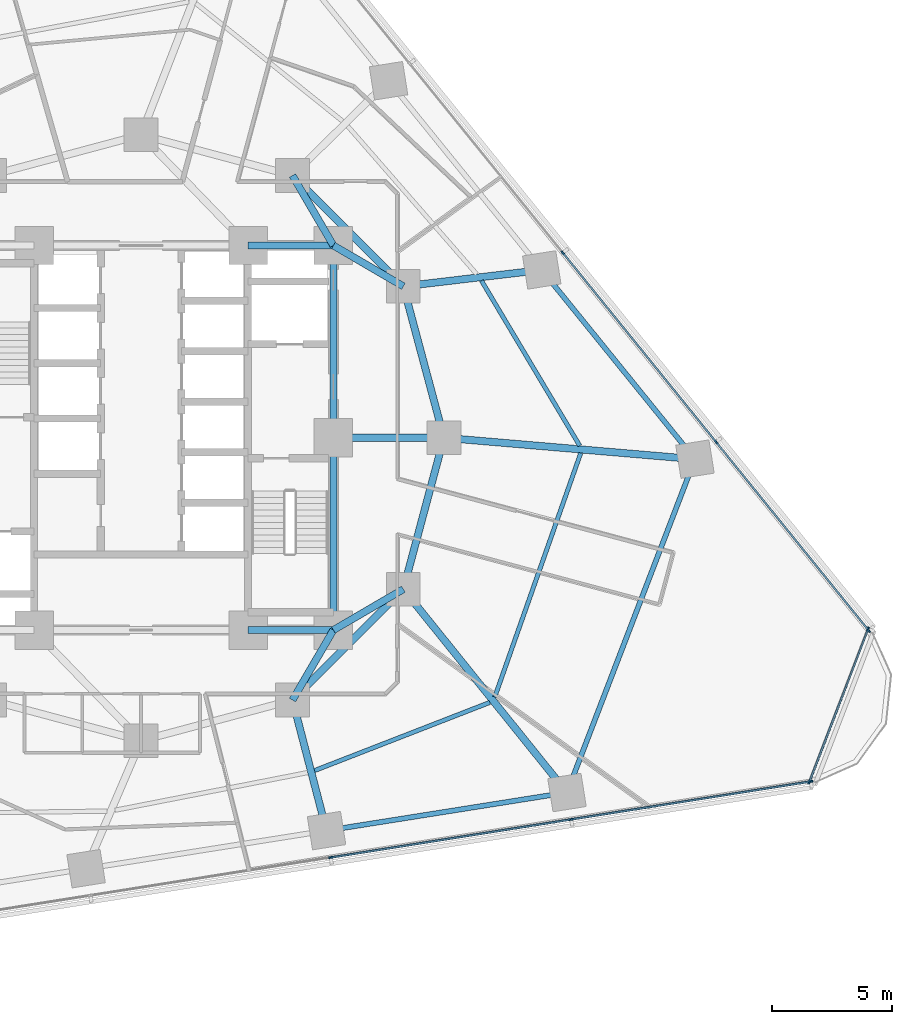
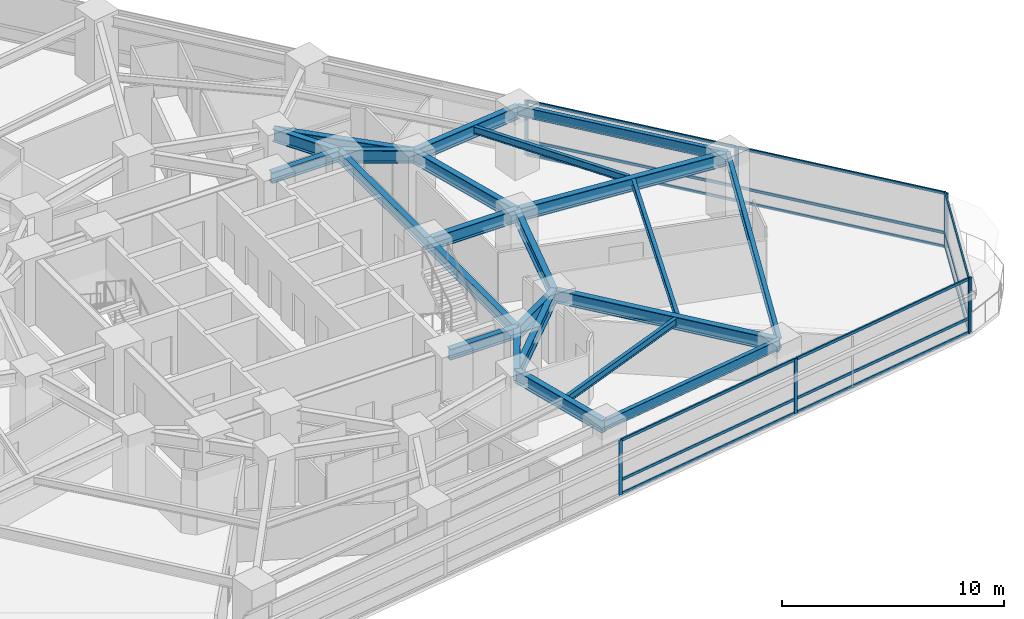
# One storey, part 4 of 13: 23 beams, 23 members, 3 elements without a shape of their own.
"""IFC4 building model written with IfcOpenShell, lengths in metres."""

from ifc_helpers import new_model, si_unit, direction, frame, origin, origin_2d, place, context, subcontext, project, spatial, rectangle, i_section, extrude, material, layer, layer_set, material_profile, profile_set, type_object, element, aggregate, save


model = new_model("IFC4")

# Units and contexts
model_context = context("Model", 3, precision=1e-05, world=origin(), true_north=direction((0.0, 1.0)))
body_context = subcontext(model_context, "Body", "Model", "MODEL_VIEW")
ifc_project = project(units=[si_unit("LENGTHUNIT", "METRE"), si_unit("AREAUNIT", "SQUARE_METRE"), si_unit("VOLUMEUNIT", "CUBIC_METRE"), si_unit("PLANEANGLEUNIT", "RADIAN"), si_unit("MASSUNIT", "GRAM", prefix="KILO")], contexts=[model_context])

# Site, building, storey
site_placement = place(None, origin())
site = spatial("IfcSite", under=ifc_project, at=site_placement, CompositionType="ELEMENT")
building_placement = place(site_placement, origin())
building = spatial("IfcBuilding", under=site, at=building_placement, Name="Terralouvre Media Tower", CompositionType="ELEMENT")
storey_placement = place(building_placement, frame((0.0, 0.0, 55.60009765625)))
storey = spatial("IfcBuildingStorey", under=building, at=storey_placement, Name="L13", CompositionType="ELEMENT", Elevation=55.60009765625)

# Beams
ifc_material_1 = material(Name="Structural steel S355J2", Category="steel")
ifc_material_profile_1 = material_profile(ifc_material_1, i_section(OverallWidth=0.179931640625, OverallDepth=0.39990234375, WebThickness=0.008544921875, FlangeThickness=0.013427734375, at=origin_2d()), Name="IPE 400")
ifc_profile_set_1 = profile_set([ifc_material_profile_1], Name="Structural steel S355J2")
beam_type_1 = type_object("IfcBeamType", Name="Composite Floor Joist J-IPE400 (IPE 400)", PredefinedType="JOIST", material=ifc_profile_set_1)
beam_1_placement = place(storey_placement, frame((7.21826171875, -13.844482421875, 3.2998046875), z_axis=(0.931999401601, 0.362459812139, 0.0), x_axis=(-0.362459812139, 0.931999401601, 0.0)))
element("IfcBeam", 1, at=beam_1_placement, inside=storey, type_object=beam_type_1, Name="L13 Framing Beam JT-L13-04", PredefinedType="JOIST", context=body_context, shape_type="SweptSolid", body=[
    extrude(i_section(OverallWidth=0.179931640625, OverallDepth=0.39990234375, WebThickness=0.008544921875, FlangeThickness=0.013427734375, at=origin_2d()), origin(), (0.0, 0.0, 1.0), 7.82470703125),
])
beam_2_placement = place(storey_placement, frame((14.713623046875, -10.78759765625, 3.2998046875), z_axis=(0.332419189209, 0.943131741935, 0.0), x_axis=(-0.943131741935, 0.332419189209, 0.0)))
element("IfcBeam", 2, at=beam_2_placement, inside=storey, type_object=beam_type_1, Name="L13 Framing Beam JT-L13-05", PredefinedType="JOIST", context=body_context, shape_type="SweptSolid", body=[
    extrude(i_section(OverallWidth=0.179931640625, OverallDepth=0.39990234375, WebThickness=0.008544921875, FlangeThickness=0.013427734375, at=origin_2d()), origin(), (0.0, 0.0, 1.0), 10.766845703125),
])
beam_3_placement = place(storey_placement, frame((18.250244140625, -0.331787109375, 3.2998046875), z_axis=(-0.511572999737, 0.859239818642, 0.0), x_axis=(-0.859239818642, -0.511572999737, 0.0)))
element("IfcBeam", 3, at=beam_3_placement, inside=storey, type_object=beam_type_1, Name="L13 Framing Beam JT-L13-06", PredefinedType="JOIST", context=body_context, shape_type="SweptSolid", body=[
    extrude(i_section(OverallWidth=0.179931640625, OverallDepth=0.39990234375, WebThickness=0.008544921875, FlangeThickness=0.013427734375, at=origin_2d()), origin(), (0.0, 0.0, 1.0), 7.99267578125),
])

# Curtain wall, members
ifc_material_2 = material(Name="Low-iron laminated double glazing with solar-control coating", Category="glass")
ifc_layer_1 = layer(ifc_material_2, 0.1650390625, Name="Lower Media Tower Unitised Curtain Wall CW-02")
ifc_layer_set_1 = layer_set([ifc_layer_1], Name="Low-iron laminated double glazing with solar-control coating")
curtain_wall_type_1 = type_object("IfcCurtainWallType", Name="Lower Media Tower Unitised Curtain Wall CW-02", PredefinedType="NOTDEFINED", material=ifc_layer_set_1)
curtain_wall_1_placement = place(storey_placement, origin())
curtain_wall_1 = element("IfcCurtainWall", 4, at=curtain_wall_1_placement, inside=storey, type_object=curtain_wall_type_1, Name="L13 Facade Curtain Wall F0", PredefinedType="NOTDEFINED")
ifc_material_3 = material(Name="Anodised extruded aluminium 6063-T6", Category="aluminium")
ifc_material_profile_2 = material_profile(ifc_material_3, rectangle(XDim=0.074951171875, YDim=0.14990234375, at=origin_2d()), Name="ALU 75x150")
ifc_profile_set_2 = profile_set([ifc_material_profile_2], Name="Anodised extruded aluminium 6063-T6")
member_type_1 = type_object("IfcMemberType", Name="Curtain-Wall Horizontal Transom TR-150", PredefinedType="USERDEFINED", material=ifc_profile_set_2)
member_1_placement = place(storey_placement, frame((7.929443359375, -17.452880859375, 0.037353515625), z_axis=(0.987690198625, 0.156422733448, 0.0), x_axis=(-0.156422733448, 0.987690198625, 0.0)))
member_1 = element("IfcMember", 5, at=member_1_placement, type_object=member_type_1, Name="CW-02 transom 4.1", ObjectType="TRANSOM", PredefinedType="USERDEFINED", context=body_context, shape_type="SweptSolid", body=[
    extrude(rectangle(XDim=0.074951171875, YDim=0.14990234375, at=origin_2d()), origin(), (0.0, 0.0, 1.0), 10.052978515625),
])
member_2_placement = place(storey_placement, frame((7.929443359375, -17.452880859375, 0.7998046875), z_axis=(0.987690198625, 0.156422733448, 0.0), x_axis=(-0.156422733448, 0.987690198625, 0.0)))
member_2 = element("IfcMember", 6, at=member_2_placement, type_object=member_type_1, Name="CW-02 transom 4.2", ObjectType="TRANSOM", PredefinedType="USERDEFINED", context=body_context, shape_type="SweptSolid", body=[
    extrude(rectangle(XDim=0.074951171875, YDim=0.14990234375, at=origin_2d()), origin(), (0.0, 0.0, 1.0), 10.052978515625),
])
member_3_placement = place(storey_placement, frame((7.929443359375, -17.452880859375, 2.96240234375), z_axis=(0.987690198625, 0.156422733448, 0.0), x_axis=(-0.156422733448, 0.987690198625, 0.0)))
member_3 = element("IfcMember", 7, at=member_3_placement, type_object=member_type_1, Name="CW-02 transom 4.3", ObjectType="TRANSOM", PredefinedType="USERDEFINED", context=body_context, shape_type="SweptSolid", body=[
    extrude(rectangle(XDim=0.074951171875, YDim=0.14990234375, at=origin_2d()), origin(), (0.0, 0.0, 1.0), 10.052978515625),
])
member_4_placement = place(storey_placement, frame((17.9326171875, -15.86865234375, 0.037353515625), z_axis=(0.987686755457, 0.156444472878, 0.0), x_axis=(-0.156444472878, 0.987686755457, 0.0)))
member_4 = element("IfcMember", 8, at=member_4_placement, type_object=member_type_1, Name="CW-02 transom 5.1", ObjectType="TRANSOM", PredefinedType="USERDEFINED", context=body_context, shape_type="SweptSolid", body=[
    extrude(rectangle(XDim=0.074951171875, YDim=0.14990234375, at=origin_2d()), origin(), (0.0, 0.0, 1.0), 10.015625),
])
member_5_placement = place(storey_placement, frame((17.9326171875, -15.86865234375, 0.7998046875), z_axis=(0.987686755457, 0.156444472878, 0.0), x_axis=(-0.156444472878, 0.987686755457, 0.0)))
member_5 = element("IfcMember", 9, at=member_5_placement, type_object=member_type_1, Name="CW-02 transom 5.2", ObjectType="TRANSOM", PredefinedType="USERDEFINED", context=body_context, shape_type="SweptSolid", body=[
    extrude(rectangle(XDim=0.074951171875, YDim=0.14990234375, at=origin_2d()), origin(), (0.0, 0.0, 1.0), 10.015625),
])
member_6_placement = place(storey_placement, frame((17.9326171875, -15.86865234375, 2.96240234375), z_axis=(0.987686755457, 0.156444472878, 0.0), x_axis=(-0.156444472878, 0.987686755457, 0.0)))
member_6 = element("IfcMember", 10, at=member_6_placement, type_object=member_type_1, Name="CW-02 transom 5.3", ObjectType="TRANSOM", PredefinedType="USERDEFINED", context=body_context, shape_type="SweptSolid", body=[
    extrude(rectangle(XDim=0.074951171875, YDim=0.14990234375, at=origin_2d()), origin(), (0.0, 0.0, 1.0), 10.015625),
])

curtain_wall_2_placement = place(storey_placement, origin())
curtain_wall_2 = element("IfcCurtainWall", 11, at=curtain_wall_2_placement, inside=storey, type_object=curtain_wall_type_1, Name="L13 Facade Curtain Wall F1", PredefinedType="NOTDEFINED")
member_7_placement = place(storey_placement, frame((30.247802734375, -7.990234375, 0.037353515625), z_axis=(-0.629312521445, 0.777152334071, 0.0), x_axis=(-0.777152334071, -0.629312521445, 0.0)))
member_7 = element("IfcMember", 12, at=member_7_placement, type_object=member_type_1, Name="CW-02 transom 1.1", ObjectType="TRANSOM", PredefinedType="USERDEFINED", context=body_context, shape_type="SweptSolid", body=[
    extrude(rectangle(XDim=0.074951171875, YDim=0.14990234375, at=origin_2d()), origin(), (0.0, 0.0, 1.0), 10.015625),
])
member_8_placement = place(storey_placement, frame((30.247802734375, -7.990234375, 0.7998046875), z_axis=(-0.629312521445, 0.777152334071, 0.0), x_axis=(-0.777152334071, -0.629312521445, 0.0)))
member_8 = element("IfcMember", 13, at=member_8_placement, type_object=member_type_1, Name="CW-02 transom 1.2", ObjectType="TRANSOM", PredefinedType="USERDEFINED", context=body_context, shape_type="SweptSolid", body=[
    extrude(rectangle(XDim=0.074951171875, YDim=0.14990234375, at=origin_2d()), origin(), (0.0, 0.0, 1.0), 10.015625),
])
member_9_placement = place(storey_placement, frame((30.247802734375, -7.990234375, 2.96240234375), z_axis=(-0.629312521445, 0.777152334071, 0.0), x_axis=(-0.777152334071, -0.629312521445, 0.0)))
member_9 = element("IfcMember", 14, at=member_9_placement, type_object=member_type_1, Name="CW-02 transom 1.3", ObjectType="TRANSOM", PredefinedType="USERDEFINED", context=body_context, shape_type="SweptSolid", body=[
    extrude(rectangle(XDim=0.074951171875, YDim=0.14990234375, at=origin_2d()), origin(), (0.0, 0.0, 1.0), 10.015625),
])
member_10_placement = place(storey_placement, frame((23.8974609375, -0.1484375, 0.037353515625), z_axis=(-0.629307207311, 0.777156637253, 0.0), x_axis=(-0.777156637253, -0.629307207311, 0.0)))
member_10 = element("IfcMember", 15, at=member_10_placement, type_object=member_type_1, Name="CW-02 transom 2.1", ObjectType="TRANSOM", PredefinedType="USERDEFINED", context=body_context, shape_type="SweptSolid", body=[
    extrude(rectangle(XDim=0.074951171875, YDim=0.14990234375, at=origin_2d()), origin(), (0.0, 0.0, 1.0), 10.052978515625),
])
member_11_placement = place(storey_placement, frame((23.8974609375, -0.1484375, 0.7998046875), z_axis=(-0.629307207311, 0.777156637253, 0.0), x_axis=(-0.777156637253, -0.629307207311, 0.0)))
member_11 = element("IfcMember", 16, at=member_11_placement, type_object=member_type_1, Name="CW-02 transom 2.2", ObjectType="TRANSOM", PredefinedType="USERDEFINED", context=body_context, shape_type="SweptSolid", body=[
    extrude(rectangle(XDim=0.074951171875, YDim=0.14990234375, at=origin_2d()), origin(), (0.0, 0.0, 1.0), 10.052978515625),
])
member_12_placement = place(storey_placement, frame((23.8974609375, -0.1484375, 2.96240234375), z_axis=(-0.629307207311, 0.777156637253, 0.0), x_axis=(-0.777156637253, -0.629307207311, 0.0)))
member_12 = element("IfcMember", 17, at=member_12_placement, type_object=member_type_1, Name="CW-02 transom 2.3", ObjectType="TRANSOM", PredefinedType="USERDEFINED", context=body_context, shape_type="SweptSolid", body=[
    extrude(rectangle(XDim=0.074951171875, YDim=0.14990234375, at=origin_2d()), origin(), (0.0, 0.0, 1.0), 10.052978515625),
])

ifc_material_4 = material(Name="Low-iron laminated double glazing with solar-control coating", Category="glass")
ifc_layer_2 = layer(ifc_material_4, 0.1650390625, Name="Rounded Wind-Corner Curved Glazing CW-04")
ifc_layer_set_2 = layer_set([ifc_layer_2], Name="Low-iron laminated double glazing with solar-control coating")
curtain_wall_type_2 = type_object("IfcCurtainWallType", Name="Rounded Wind-Corner Curved Glazing CW-04", PredefinedType="NOTDEFINED", material=ifc_layer_set_2)
curtain_wall_3_placement = place(storey_placement, origin())
curtain_wall_3 = element("IfcCurtainWall", 18, at=curtain_wall_3_placement, inside=storey, type_object=curtain_wall_type_2, Name="L13 Rounded Wind-Corner Curtain Wall C1", PredefinedType="NOTDEFINED")
member_13_placement = place(storey_placement, frame((27.81396484375, -14.288330078125, 0.037353515625), z_axis=(0.358345802392, 0.933588927691, 0.0), x_axis=(-0.933588927691, 0.358345802392, 0.0)))
member_13 = element("IfcMember", 19, at=member_13_placement, type_object=member_type_1, Name="CW-04 transom 1.1", ObjectType="TRANSOM", PredefinedType="USERDEFINED", context=body_context, shape_type="SweptSolid", body=[
    extrude(rectangle(XDim=0.074951171875, YDim=0.14990234375, at=origin_2d()), origin(), (0.0, 0.0, 1.0), 6.743408203125),
])
member_14_placement = place(storey_placement, frame((27.81396484375, -14.288330078125, 0.7998046875), z_axis=(0.358345802392, 0.933588927691, 0.0), x_axis=(-0.933588927691, 0.358345802392, 0.0)))
member_14 = element("IfcMember", 20, at=member_14_placement, type_object=member_type_1, Name="CW-04 transom 1.2", ObjectType="TRANSOM", PredefinedType="USERDEFINED", context=body_context, shape_type="SweptSolid", body=[
    extrude(rectangle(XDim=0.074951171875, YDim=0.14990234375, at=origin_2d()), origin(), (0.0, 0.0, 1.0), 6.743408203125),
])
member_15_placement = place(storey_placement, frame((27.81396484375, -14.288330078125, 2.96240234375), z_axis=(0.358345802392, 0.933588927691, 0.0), x_axis=(-0.933588927691, 0.358345802392, 0.0)))
member_15 = element("IfcMember", 21, at=member_15_placement, type_object=member_type_1, Name="CW-04 transom 1.3", ObjectType="TRANSOM", PredefinedType="USERDEFINED", context=body_context, shape_type="SweptSolid", body=[
    extrude(rectangle(XDim=0.074951171875, YDim=0.14990234375, at=origin_2d()), origin(), (0.0, 0.0, 1.0), 6.743408203125),
])

# Member
ifc_material_5 = material(Name="Anodised extruded aluminium 6063-T6", Category="aluminium")
ifc_material_profile_3 = material_profile(ifc_material_5, rectangle(XDim=0.074951171875, YDim=0.179931640625, at=origin_2d()), Name="ALU 75x180")
ifc_profile_set_3 = profile_set([ifc_material_profile_3], Name="Anodised extruded aluminium 6063-T6")
member_type_2 = type_object("IfcMemberType", Name="Curtain-Wall Vertical Mullion ML-180", PredefinedType="MULLION", material=ifc_profile_set_3)
member_16_placement = place(storey_placement, frame((7.892333984375, -17.458740234375, 0.0), z_axis=(0.0, 0.0, 1.0), x_axis=(-0.156434462903, 0.987688340934, 0.0)))
member_16 = element("IfcMember", 22, at=member_16_placement, type_object=member_type_2, Name="CW-02 mullion 4", PredefinedType="MULLION", context=body_context, shape_type="SweptSolid", body=[
    extrude(rectangle(XDim=0.074951171875, YDim=0.179931640625, at=origin_2d()), origin(), (0.0, 0.0, 1.0), 3.0),
])

member_17_placement = place(storey_placement, frame((17.895751953125, -15.87451171875, 0.0), z_axis=(0.0, 0.0, 1.0), x_axis=(-0.156434462903, 0.987688340934, 0.0)))
member_17 = element("IfcMember", 23, at=member_17_placement, type_object=member_type_2, Name="CW-02 mullion 5", PredefinedType="MULLION", context=body_context, shape_type="SweptSolid", body=[
    extrude(rectangle(XDim=0.074951171875, YDim=0.179931640625, at=origin_2d()), origin(), (0.0, 0.0, 1.0), 3.0),
])

member_18_placement = place(storey_placement, frame((27.86181640625, -14.2958984375, 0.0), z_axis=(0.0, 0.0, 1.0), x_axis=(-0.156434462903, 0.987688340934, 0.0)))
member_18 = element("IfcMember", 24, at=member_18_placement, type_object=member_type_2, Name="CW-02 mullion 6", PredefinedType="MULLION", context=body_context, shape_type="SweptSolid", body=[
    extrude(rectangle(XDim=0.074951171875, YDim=0.179931640625, at=origin_2d()), origin(), (0.0, 0.0, 1.0), 3.0),
])

aggregate(curtain_wall_1, [member_16, member_17, member_18, member_1, member_2, member_3, member_4, member_5, member_6])

member_19_placement = place(storey_placement, frame((30.271240234375, -8.019287109375, 0.0), z_axis=(0.0, 0.0, 1.0), x_axis=(-0.777145994276, -0.629320350521, 0.0)))
member_19 = element("IfcMember", 25, at=member_19_placement, type_object=member_type_2, Name="CW-02 mullion 1", PredefinedType="MULLION", context=body_context, shape_type="SweptSolid", body=[
    extrude(rectangle(XDim=0.074951171875, YDim=0.179931640625, at=origin_2d()), origin(), (0.0, 0.0, 1.0), 3.0),
])

member_20_placement = place(storey_placement, frame((23.921142578125, -0.177490234375, 0.0), z_axis=(0.0, 0.0, 1.0), x_axis=(-0.777145994276, -0.629320350521, 0.0)))
member_20 = element("IfcMember", 26, at=member_20_placement, type_object=member_type_2, Name="CW-02 mullion 2", PredefinedType="MULLION", context=body_context, shape_type="SweptSolid", body=[
    extrude(rectangle(XDim=0.074951171875, YDim=0.179931640625, at=origin_2d()), origin(), (0.0, 0.0, 1.0), 3.0),
])

member_21_placement = place(storey_placement, frame((17.54736328125, 7.693359375, 0.0), z_axis=(0.0, 0.0, 1.0), x_axis=(-0.777145994276, -0.629320350521, 0.0)))
member_21 = element("IfcMember", 27, at=member_21_placement, type_object=member_type_2, Name="CW-02 mullion 3", PredefinedType="MULLION", context=body_context, shape_type="SweptSolid", body=[
    extrude(rectangle(XDim=0.074951171875, YDim=0.179931640625, at=origin_2d()), origin(), (0.0, 0.0, 1.0), 3.0),
])

aggregate(curtain_wall_2, [member_19, member_20, member_21, member_7, member_8, member_9, member_10, member_11, member_12])

member_22_placement = place(storey_placement, frame((27.800537109375, -14.323486328125, 0.0), z_axis=(0.0, 0.0, 1.0), x_axis=(-0.933580609478, 0.358367472863, 0.0)))
member_22 = element("IfcMember", 28, at=member_22_placement, type_object=member_type_2, Name="CW-04 mullion 1", PredefinedType="MULLION", context=body_context, shape_type="SweptSolid", body=[
    extrude(rectangle(XDim=0.074951171875, YDim=0.179931640625, at=origin_2d()), origin(), (0.0, 0.0, 1.0), 3.0),
])

member_23_placement = place(storey_placement, frame((30.243896484375, -7.957763671875, 0.0), z_axis=(0.0, 0.0, 1.0), x_axis=(-0.933580609478, 0.358367472863, 0.0)))
member_23 = element("IfcMember", 29, at=member_23_placement, type_object=member_type_2, Name="CW-04 mullion 2", PredefinedType="MULLION", context=body_context, shape_type="SweptSolid", body=[
    extrude(rectangle(XDim=0.074951171875, YDim=0.179931640625, at=origin_2d()), origin(), (0.0, 0.0, 1.0), 3.0),
])

aggregate(curtain_wall_3, [member_22, member_23, member_13, member_14, member_15])

# Beams
ifc_material_6 = material(Name="Structural steel S355J2", Category="steel")
ifc_material_profile_4 = material_profile(ifc_material_6, i_section(OverallWidth=0.2099609375, OverallDepth=0.550048828125, WebThickness=0.010986328125, FlangeThickness=0.01708984375, at=origin_2d()), Name="IPE 550")
ifc_profile_set_4 = profile_set([ifc_material_profile_4], Name="Structural steel S355J2")
beam_type_2 = type_object("IfcBeamType", Name="Perimeter Spandrel Beam SPB-550 (IPE 550)", PredefinedType="SPANDREL", material=ifc_profile_set_4)
beam_4_placement = place(storey_placement, frame((7.715576171875, -16.3427734375, 3.224853515625), z_axis=(0.987686424887, 0.156446559869, 0.0), x_axis=(-0.156446559869, 0.987686424887, 0.0)))
element("IfcBeam", 30, at=beam_4_placement, inside=storey, type_object=beam_type_2, Name="L13 Framing Beam BM-L13-PR04", PredefinedType="SPANDREL", context=body_context, shape_type="SweptSolid", body=[
    extrude(i_section(OverallWidth=0.2099609375, OverallDepth=0.550048828125, WebThickness=0.010986328125, FlangeThickness=0.01708984375, at=origin_2d()), origin(), (0.0, 0.0, 1.0), 10.1279296875),
])
beam_5_placement = place(storey_placement, frame((17.71875, -14.75830078125, 3.224853515625), z_axis=(0.358377748767, 0.933576664869, 0.0), x_axis=(-0.933576664869, 0.358377748767, 0.0)))
element("IfcBeam", 31, at=beam_5_placement, inside=storey, type_object=beam_type_2, Name="L13 Framing Beam BM-L13-PR05", PredefinedType="SPANDREL", context=body_context, shape_type="SweptSolid", body=[
    extrude(i_section(OverallWidth=0.2099609375, OverallDepth=0.550048828125, WebThickness=0.010986328125, FlangeThickness=0.01708984375, at=origin_2d()), origin(), (0.0, 0.0, 1.0), 14.8564453125),
])
beam_6_placement = place(storey_placement, frame((23.04296875, -0.888671875, 3.224853515625), z_axis=(-0.629314025627, 0.777151116031, 0.0), x_axis=(-0.777151116031, -0.629314025627, 0.0)))
element("IfcBeam", 32, at=beam_6_placement, inside=storey, type_object=beam_type_2, Name="L13 Framing Beam BM-L13-PR06", PredefinedType="SPANDREL", context=body_context, shape_type="SweptSolid", body=[
    extrude(i_section(OverallWidth=0.2099609375, OverallDepth=0.550048828125, WebThickness=0.010986328125, FlangeThickness=0.01708984375, at=origin_2d()), origin(), (0.0, 0.0, 1.0), 10.128173828125),
])
ifc_material_7 = material(Name="Structural steel S460M", Category="steel")
ifc_material_profile_5 = material_profile(ifc_material_7, i_section(OverallWidth=0.300048828125, OverallDepth=0.60009765625, WebThickness=0.015380859375, FlangeThickness=0.030029296875, at=origin_2d()), Name="HEB 600")
ifc_profile_set_5 = profile_set([ifc_material_profile_5], Name="Structural steel S460M")
beam_type_3 = type_object("IfcBeamType", Name="Primary Floor Girder B-HEB600 (HEB 600)", PredefinedType="BEAM", material=ifc_profile_set_5)
beam_7_placement = place(storey_placement, frame((4.449951171875, -8.0, 3.199951171875), z_axis=(1.0, 0.0, 0.0), x_axis=(0.0, 1.0, 0.0)))
element("IfcBeam", 33, at=beam_7_placement, inside=storey, type_object=beam_type_3, Name="L13 Framing Beam BM-L13-CPR03", PredefinedType="BEAM", context=body_context, shape_type="SweptSolid", body=[
    extrude(i_section(OverallWidth=0.300048828125, OverallDepth=0.60009765625, WebThickness=0.015380859375, FlangeThickness=0.030029296875, at=origin_2d()), origin(), (0.0, 0.0, 1.0), 3.550048828125),
])
for number, where, z_axis, x_axis, name in (
    (34, (8.0, -8.0, 3.199951171875), (0.0, 1.0, 0.0), (-1.0, 0.0, 0.0), "L13 Framing Beam BM-L13-CPR04"),
    (35, (8.0, 0.0, 3.199951171875), (0.0, 1.0, 0.0), (-1.0, 0.0, 0.0), "L13 Framing Beam BM-L13-CPR05"),
):
    element("IfcBeam", number, at=place(storey_placement, frame(where, z_axis=z_axis, x_axis=x_axis)), inside=storey, type_object=beam_type_3, Name=name, PredefinedType="BEAM", context=body_context, shape_type="SweptSolid", body=[
        extrude(i_section(OverallWidth=0.300048828125, OverallDepth=0.60009765625, WebThickness=0.015380859375, FlangeThickness=0.030029296875, at=origin_2d()), origin(), (0.0, 0.0, 1.0), 8.0),
    ])
beam_8_placement = place(storey_placement, frame((8.0, 8.0, 3.199951171875), z_axis=(-1.0, 0.0, 0.0), x_axis=(0.0, -1.0, 0.0)))
element("IfcBeam", 36, at=beam_8_placement, inside=storey, type_object=beam_type_3, Name="L13 Framing Beam BM-L13-CPR06", PredefinedType="BEAM", context=body_context, shape_type="SweptSolid", body=[
    extrude(i_section(OverallWidth=0.300048828125, OverallDepth=0.60009765625, WebThickness=0.015380859375, FlangeThickness=0.030029296875, at=origin_2d()), origin(), (0.0, 0.0, 1.0), 3.550048828125),
])
ifc_material_8 = material(Name="Structural steel S460M", Category="steel")
ifc_material_profile_6 = material_profile(ifc_material_8, i_section(OverallWidth=0.300048828125, OverallDepth=0.699951171875, WebThickness=0.01708984375, FlangeThickness=0.031982421875, at=origin_2d()), Name="HEB 700")
ifc_profile_set_6 = profile_set([ifc_material_profile_6], Name="Structural steel S460M")
beam_type_4 = type_object("IfcBeamType", Name="Primary Floor Girder B-HEB700 (HEB 700)", PredefinedType="BEAM", material=ifc_profile_set_6)
beam_9_placement = place(storey_placement, frame((6.300048828125, -10.911865234375, 3.14990234375), z_axis=(0.707106781187, 0.707106781187, 0.0), x_axis=(-0.707106781187, 0.707106781187, 0.0)))
element("IfcBeam", 37, at=beam_9_placement, inside=storey, type_object=beam_type_4, Name="L13 Framing Beam BM-L13-MR04", PredefinedType="BEAM", context=body_context, shape_type="SweptSolid", body=[
    extrude(i_section(OverallWidth=0.300048828125, OverallDepth=0.699951171875, WebThickness=0.01708984375, FlangeThickness=0.031982421875, at=origin_2d()), origin(), (0.0, 0.0, 1.0), 6.52197265625),
])
for number, where, z_axis, x_axis, name in (
    (38, (10.911865234375, -6.300048828125, 3.14990234375), (0.258838989821, 0.965920481897, 0.0), (-0.965920481897, 0.258838989821, 0.0), "L13 Framing Beam BM-L13-MR05"),
    (39, (12.60009765625, 0.0, 3.14990234375), (-0.258838989821, 0.965920481897, 0.0), (-0.965920481897, -0.258838989821, 0.0), "L13 Framing Beam BM-L13-MR06"),
):
    element("IfcBeam", number, at=place(storey_placement, frame(where, z_axis=z_axis, x_axis=x_axis)), inside=storey, type_object=beam_type_4, Name=name, PredefinedType="BEAM", context=body_context, shape_type="SweptSolid", body=[
        extrude(i_section(OverallWidth=0.300048828125, OverallDepth=0.699951171875, WebThickness=0.01708984375, FlangeThickness=0.031982421875, at=origin_2d()), origin(), (0.0, 0.0, 1.0), 6.522216796875),
    ])
beam_10_placement = place(storey_placement, frame((10.911865234375, 6.300048828125, 3.14990234375), z_axis=(-0.707106781187, 0.707106781187, 0.0), x_axis=(-0.707106781187, -0.707106781187, 0.0)))
element("IfcBeam", 40, at=beam_10_placement, inside=storey, type_object=beam_type_4, Name="L13 Framing Beam BM-L13-MR07", PredefinedType="BEAM", context=body_context, shape_type="SweptSolid", body=[
    extrude(i_section(OverallWidth=0.300048828125, OverallDepth=0.699951171875, WebThickness=0.01708984375, FlangeThickness=0.031982421875, at=origin_2d()), origin(), (0.0, 0.0, 1.0), 6.52197265625),
])
for number, where, z_axis, x_axis, name in (
    (41, (8.0, -8.0, 3.14990234375), (-0.504172629717, -0.863602894532, 0.0), (0.863602894532, -0.504172629717, 0.0), "L13 Framing Beam BM-L13-CM04"),
    (42, (8.0, -8.0, 3.14990234375), (0.863602894532, 0.504172629717, 0.0), (-0.504172629717, 0.863602894532, 0.0), "L13 Framing Beam BM-L13-CM05"),
):
    element("IfcBeam", number, at=place(storey_placement, frame(where, z_axis=z_axis, x_axis=x_axis)), inside=storey, type_object=beam_type_4, Name=name, PredefinedType="BEAM", context=body_context, shape_type="SweptSolid", body=[
        extrude(i_section(OverallWidth=0.300048828125, OverallDepth=0.699951171875, WebThickness=0.01708984375, FlangeThickness=0.031982421875, at=origin_2d()), origin(), (0.0, 0.0, 1.0), 3.371826171875),
    ])
beam_11_placement = place(storey_placement, frame((8.0, 0.0, 3.14990234375), z_axis=(1.0, 0.0, 0.0), x_axis=(0.0, 1.0, 0.0)))
element("IfcBeam", 43, at=beam_11_placement, inside=storey, type_object=beam_type_4, Name="L13 Framing Beam BM-L13-CM06", PredefinedType="BEAM", context=body_context, shape_type="SweptSolid", body=[
    extrude(i_section(OverallWidth=0.300048828125, OverallDepth=0.699951171875, WebThickness=0.01708984375, FlangeThickness=0.031982421875, at=origin_2d()), origin(), (0.0, 0.0, 1.0), 4.60009765625),
])
for number, where, z_axis, x_axis, name in (
    (44, (8.0, 8.0, 3.14990234375), (0.863602894532, -0.504172629717, 0.0), (0.504172629717, 0.863602894532, 0.0), "L13 Framing Beam BM-L13-CM07"),
    (45, (8.0, 8.0, 3.14990234375), (-0.504172629717, 0.863602894532, 0.0), (-0.863602894532, -0.504172629717, 0.0), "L13 Framing Beam BM-L13-CM08"),
):
    element("IfcBeam", number, at=place(storey_placement, frame(where, z_axis=z_axis, x_axis=x_axis)), inside=storey, type_object=beam_type_4, Name=name, PredefinedType="BEAM", context=body_context, shape_type="SweptSolid", body=[
        extrude(i_section(OverallWidth=0.300048828125, OverallDepth=0.699951171875, WebThickness=0.01708984375, FlangeThickness=0.031982421875, at=origin_2d()), origin(), (0.0, 0.0, 1.0), 3.371826171875),
    ])
beam_12_placement = place(storey_placement, frame((6.300048828125, -10.911865234375, 3.14990234375), z_axis=(0.252216476238, -0.967670837172, 0.0), x_axis=(0.967670837172, 0.252216476238, 0.0)))
element("IfcBeam", 46, at=beam_12_placement, inside=storey, type_object=beam_type_4, Name="L13 Framing Beam BM-L13-RD04", PredefinedType="BEAM", context=body_context, shape_type="SweptSolid", body=[
    extrude(i_section(OverallWidth=0.300048828125, OverallDepth=0.699951171875, WebThickness=0.01708984375, FlangeThickness=0.031982421875, at=origin_2d()), origin(), (0.0, 0.0, 1.0), 5.6123046875),
])
beam_13_placement = place(storey_placement, frame((10.911865234375, -6.300048828125, 3.14990234375), z_axis=(0.626954818356, -0.779055617874, 0.0), x_axis=(0.779055617874, 0.626954818356, 0.0)))
element("IfcBeam", 47, at=beam_13_placement, inside=storey, type_object=beam_type_4, Name="L13 Framing Beam BM-L13-RD05", PredefinedType="BEAM", context=body_context, shape_type="SweptSolid", body=[
    extrude(i_section(OverallWidth=0.300048828125, OverallDepth=0.699951171875, WebThickness=0.01708984375, FlangeThickness=0.031982421875, at=origin_2d()), origin(), (0.0, 0.0, 1.0), 10.857177734375),
])
beam_14_placement = place(storey_placement, frame((12.60009765625, 0.0, 3.14990234375), z_axis=(0.996398677219, -0.084791957382, 0.0), x_axis=(0.084791957382, 0.996398677219, 0.0)))
element("IfcBeam", 48, at=beam_14_placement, inside=storey, type_object=beam_type_4, Name="L13 Framing Beam BM-L13-RD06", PredefinedType="BEAM", context=body_context, shape_type="SweptSolid", body=[
    extrude(i_section(OverallWidth=0.300048828125, OverallDepth=0.699951171875, WebThickness=0.01708984375, FlangeThickness=0.031982421875, at=origin_2d()), origin(), (0.0, 0.0, 1.0), 10.480712890625),
])
beam_15_placement = place(storey_placement, frame((10.911865234375, 6.300048828125, 3.14990234375), z_axis=(0.993049341372, 0.117698791838, 0.0), x_axis=(-0.117698791838, 0.993049341372, 0.0)))
element("IfcBeam", 49, at=beam_15_placement, inside=storey, type_object=beam_type_4, Name="L13 Framing Beam BM-L13-RD07", PredefinedType="BEAM", context=body_context, shape_type="SweptSolid", body=[
    extrude(i_section(OverallWidth=0.300048828125, OverallDepth=0.699951171875, WebThickness=0.01708984375, FlangeThickness=0.031982421875, at=origin_2d()), origin(), (0.0, 0.0, 1.0), 5.797607421875),
])

save(model, "model.ifc")
